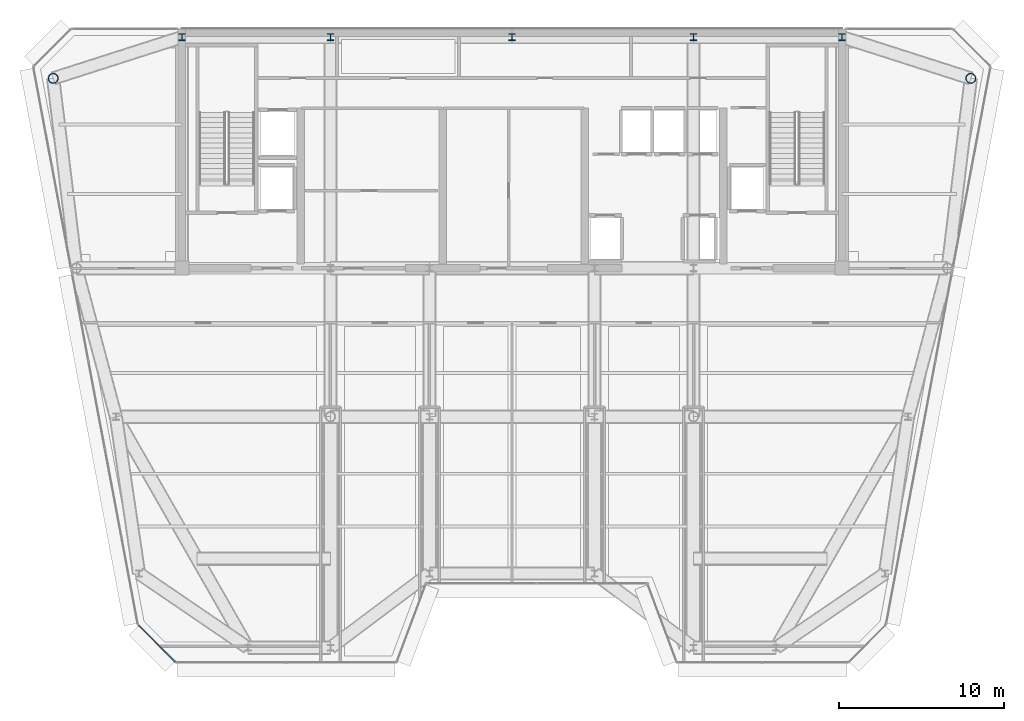
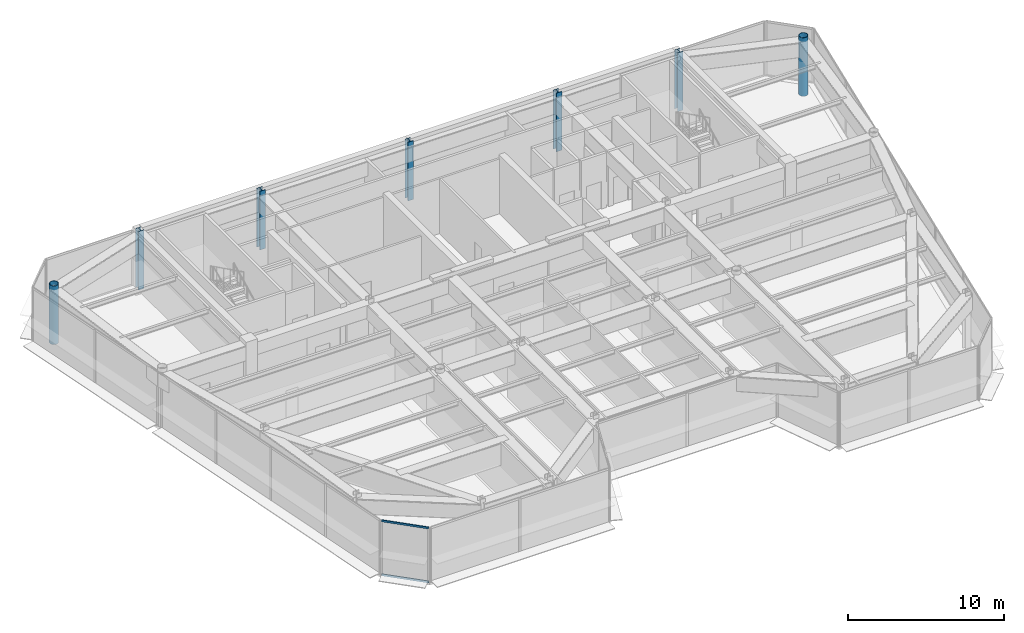
# One storey, part 2 of 20: 7 columns, 2 members, 1 element without a shape of its own.
"""IFC4 building model written with IfcOpenShell, lengths in metres."""

import ifcopenshell
import ifcopenshell.guid

model = None  # the IFC model being written
_history = None  # IfcOwnerHistory: only IFC2X3 demands one
_inside = {}  # id of a spatial element -> (the spatial element, [elements in it])
_under = {}  # id of a project, library or spatial element -> (it, [spatial elements below it])
_declared = {}  # id of a project -> (the project, [libraries it declares])
_typed = {}  # id of a type object -> (the type object, [elements of that type])
_made_of = {}  # id of a material, layer set ... -> (it, [elements and type objects made of it])


def new_model(schema):
    """Start an empty IFC model of exactly this schema.

    Asked for "IFC4X3", IfcOpenShell would pick the latest addendum, in which some entities
    have other attributes; the version numbers below select the first issue.
    IFC2X3 requires an IfcOwnerHistory on every rooted entity: one is made here for all.
    """
    global model, _history
    if schema == "IFC4X3":
        model = ifcopenshell.file(schema_version=(4, 3, 0, 0))
    else:
        model = ifcopenshell.file(schema=schema)
    _inside.clear()
    _under.clear()
    _declared.clear()
    _typed.clear()
    _made_of.clear()
    _history = None
    if model.schema == "IFC2X3":
        org = make("IfcOrganization", Name="unknown")
        user = make(
            "IfcPersonAndOrganization",
            ThePerson=make("IfcPerson", FamilyName="unknown"),
            TheOrganization=org,
        )
        app = make(
            "IfcApplication",
            ApplicationDeveloper=org,
            Version="unknown",
            ApplicationFullName="unknown",
            ApplicationIdentifier="unknown",
        )
        _history = make(
            "IfcOwnerHistory",
            OwningUser=user,
            OwningApplication=app,
            ChangeAction="ADDED",
            CreationDate=0,
        )
    return model


def make(cls, **values):
    """One entity of the class cls with the attributes given. An attribute that is None is left unset."""
    return model.create_entity(
        cls, **{name: value for name, value in values.items() if value is not None}
    )


def rooted(cls, **values):
    """An entity with a GlobalId (a new one), such as an element, a storey or a relation."""
    return make(cls, GlobalId=ifcopenshell.guid.new(), OwnerHistory=_history, **values)


def si_unit(unit_type, name, prefix=None):
    """IfcSIUnit, for example si_unit("LENGTHUNIT", "METRE", prefix="MILLI")."""
    return make("IfcSIUnit", UnitType=unit_type, Prefix=prefix, Name=name)


def assignment(units):
    """IfcUnitAssignment: the units of a project."""
    return None if units is None else make("IfcUnitAssignment", Units=units)


def point(xyz):
    """IfcCartesianPoint."""
    return None if xyz is None else make("IfcCartesianPoint", Coordinates=xyz)


def direction(xyz):
    """IfcDirection."""
    return None if xyz is None else make("IfcDirection", DirectionRatios=xyz)


def frame(location, z_axis=None, x_axis=None):
    """IfcAxis2Placement3D, a coordinate frame: its origin and axes. An axis left out is left unset."""
    return make(
        "IfcAxis2Placement3D",
        Location=point(location),
        Axis=direction(z_axis),
        RefDirection=direction(x_axis),
    )


def frame_2d(location, x_axis=None):
    """IfcAxis2Placement2D, a coordinate frame in the plane: its origin and x axis."""
    return make(
        "IfcAxis2Placement2D", Location=point(location), RefDirection=direction(x_axis)
    )


def origin():
    """The frame at (0, 0, 0) with its axes left unset."""
    return frame((0.0, 0.0, 0.0))


def origin_2d():
    """The frame at (0, 0) in the plane with its x axis left unset."""
    return frame_2d((0.0, 0.0))


def place(relative_to, where):
    """IfcLocalPlacement: puts the frame where relative to a parent placement (None: the world)."""
    return make(
        "IfcLocalPlacement", PlacementRelTo=relative_to, RelativePlacement=where
    )


def context(
    kind, dimensions, precision=None, world=None, true_north=None, identifier=None
):
    """IfcGeometricRepresentationContext, for example the 3D "Model" context."""
    return make(
        "IfcGeometricRepresentationContext",
        ContextIdentifier=identifier,
        ContextType=kind,
        CoordinateSpaceDimension=dimensions,
        Precision=precision,
        WorldCoordinateSystem=world,
        TrueNorth=true_north,
    )


def subcontext(parent, identifier, kind, view, scale=None):
    """IfcGeometricRepresentationSubContext, for example "Body" below "Model"."""
    return make(
        "IfcGeometricRepresentationSubContext",
        ContextIdentifier=identifier,
        ContextType=kind,
        ParentContext=parent,
        TargetScale=scale,
        TargetView=view,
    )


def project(units=None, contexts=None):
    """IfcProject with its units and contexts."""
    return rooted(
        "IfcProject",
        Name="project",
        RepresentationContexts=contexts,
        UnitsInContext=assignment(units),
    )


def spatial(cls, under=None, at=None, **own):
    """A site, building, storey or space (cls), placed at a placement, below another one or the project."""
    s = rooted(cls, ObjectPlacement=at, **own)
    if under is not None:
        _under.setdefault(under.id(), (under, []))[1].append(s)
    return s


def profile(cls, at=None, kind="AREA", **sizes):
    """A parametric profile (cls). Its sizes go by their IFC names, for example OverallWidth=200.0."""
    return make(cls, ProfileType=kind, Position=at, **sizes)


def rectangle(**sizes):
    """IfcRectangleProfileDef."""
    return profile("IfcRectangleProfileDef", **sizes)


def hollow_circle(**sizes):
    """IfcCircleHollowProfileDef."""
    return profile("IfcCircleHollowProfileDef", **sizes)


def i_section(**sizes):
    """IfcIShapeProfileDef."""
    return profile("IfcIShapeProfileDef", **sizes)


def extrude(swept, where, along, depth):
    """IfcExtrudedAreaSolid: the profile swept, set in the frame where, extruded along a direction by depth."""
    return make(
        "IfcExtrudedAreaSolid",
        SweptArea=swept,
        Position=where,
        ExtrudedDirection=direction(along),
        Depth=depth,
    )


def shape(context_of_items, identifier, shape_type, items):
    """IfcShapeRepresentation: the items that make up one representation, for example the "Body"."""
    return make(
        "IfcShapeRepresentation",
        ContextOfItems=context_of_items,
        RepresentationIdentifier=identifier,
        RepresentationType=shape_type,
        Items=items,
    )


def source(mapping_origin, context_of_items, identifier, shape_type, items):
    """IfcRepresentationMap: a shape defined once, which mapped items show again and again."""
    return make(
        "IfcRepresentationMap",
        MappingOrigin=mapping_origin,
        MappedRepresentation=shape(context_of_items, identifier, shape_type, items),
    )


def transform(
    local_origin,
    x_axis=None,
    y_axis=None,
    z_axis=None,
    scale=None,
    scale2=None,
    scale3=None,
    uniform=True,
):
    """IfcCartesianTransformationOperator3D, or its non-uniform kind. x_axis, y_axis, z_axis: its Axis1, 2, 3."""
    if uniform:
        return make(
            "IfcCartesianTransformationOperator3D",
            Axis1=direction(x_axis),
            Axis2=direction(y_axis),
            LocalOrigin=point(local_origin),
            Scale=scale,
            Axis3=direction(z_axis),
        )
    return make(
        "IfcCartesianTransformationOperator3DnonUniform",
        Axis1=direction(x_axis),
        Axis2=direction(y_axis),
        LocalOrigin=point(local_origin),
        Scale=scale,
        Axis3=direction(z_axis),
        Scale2=scale2,
        Scale3=scale3,
    )


def mapped(mapping_source, mapping_target):
    """IfcMappedItem: shows the shape of a source again, moved by a transform."""
    return make(
        "IfcMappedItem", MappingSource=mapping_source, MappingTarget=mapping_target
    )


def material(Name=None, Category=None):
    """IfcMaterial."""
    return make("IfcMaterial", Name=Name, Category=Category)


def layer(
    of_material, thickness, ventilated=None, Name=None, Category=None, Priority=None
):
    """IfcMaterialLayer: one layer of a wall or slab, of a material (None: an air gap)."""
    return make(
        "IfcMaterialLayer",
        Material=of_material,
        LayerThickness=thickness,
        IsVentilated=ventilated,
        Name=Name,
        Category=Category,
        Priority=Priority,
    )


def layer_set(layers, Name=None):
    """IfcMaterialLayerSet."""
    return make("IfcMaterialLayerSet", MaterialLayers=layers, LayerSetName=Name)


def material_profile(
    of_material, cross_section, Name=None, Category=None, Priority=None
):
    """IfcMaterialProfile: a cross section and its material."""
    return make(
        "IfcMaterialProfile",
        Name=Name,
        Material=of_material,
        Profile=cross_section,
        Priority=Priority,
        Category=Category,
    )


def profile_set(profiles, Name=None, composite=None):
    """IfcMaterialProfileSet."""
    return make(
        "IfcMaterialProfileSet",
        Name=Name,
        MaterialProfiles=profiles,
        CompositeProfile=composite,
    )


def made_of(thing, what):
    """Note that an element or type object is made of a material, layer set ...; save() writes the relation."""
    if what is not None:
        _made_of.setdefault(what.id(), (what, []))[1].append(thing)
    return thing


def type_object(cls, material=None, **own):
    """A type object (cls), such as IfcWallType, which elements share."""
    return made_of(rooted(cls, **own), material)


def element(
    cls,
    number,
    at=None,
    inside=None,
    cuts=None,
    type_object=None,
    material=None,
    context=None,
    identifier="Body",
    shape_type=None,
    held_by="IfcProductDefinitionShape",
    body=None,
    shapes=None,
    **own,
):
    """One element of the class cls, such as IfcWall. Its Tag is "e" and its number.

    at: its placement. inside: the storey or other place that contains it. cuts: it is an
    opening in that element (IfcRelVoidsElement). A single representation is given by context,
    identifier, shape_type and body (its items); several are given by shapes. held_by: the class
    of the entity that holds the representations. save() writes the other relations.
    """
    e = rooted(cls, Tag="e%d" % number, ObjectPlacement=at, **own)
    if body is not None:
        shapes = [shape(context, identifier, shape_type, body)]
    if shapes is not None:
        e.Representation = make(held_by, Representations=shapes)
    if inside is not None:
        _inside.setdefault(inside.id(), (inside, []))[1].append(e)
    if cuts is not None:
        rooted(
            "IfcRelVoidsElement", RelatingBuildingElement=cuts, RelatedOpeningElement=e
        )
    if type_object is not None:
        _typed.setdefault(type_object.id(), (type_object, []))[1].append(e)
    return made_of(e, material)


def aggregate(whole, parts):
    """IfcRelAggregates: a whole, such as a stair, and the parts it consists of."""
    return rooted("IfcRelAggregates", RelatingObject=whole, RelatedObjects=parts)


def save(model, path):
    """Write the relations noted so far, then the file.

    IfcRelAggregates (storeys below a building ...), IfcRelContainedInSpatialStructure (elements
    in a storey), IfcRelDefinesByType, IfcRelAssociatesMaterial and IfcRelDeclares: one each for
    every whole, place, type object, material and project.
    """
    for whole, parts in _under.values():
        aggregate(whole, parts)
    for where, things in _inside.values():
        rooted(
            "IfcRelContainedInSpatialStructure",
            RelatedElements=things,
            RelatingStructure=where,
        )
    for kind, things in _typed.values():
        rooted("IfcRelDefinesByType", RelatedObjects=things, RelatingType=kind)
    for what, things in _made_of.values():
        rooted("IfcRelAssociatesMaterial", RelatedObjects=things, RelatingMaterial=what)
    for by, libraries in _declared.values():
        rooted("IfcRelDeclares", RelatingContext=by, RelatedDefinitions=libraries)
    model.write(path)


model = new_model("IFC4")

# Units and contexts
model_context = context("Model", 3, precision=1e-05, world=origin(), true_north=direction((0.0, 1.0)))
body_context = subcontext(model_context, "Body", "Model", "MODEL_VIEW")
ifc_project = project(units=[si_unit("LENGTHUNIT", "METRE"), si_unit("AREAUNIT", "SQUARE_METRE"), si_unit("VOLUMEUNIT", "CUBIC_METRE"), si_unit("PLANEANGLEUNIT", "RADIAN"), si_unit("MASSUNIT", "GRAM", prefix="KILO")], contexts=[model_context])

# Site, building, storey
site_placement = place(None, origin())
site = spatial("IfcSite", under=ifc_project, at=site_placement, CompositionType="ELEMENT")
building_placement = place(site_placement, origin())
building = spatial("IfcBuilding", under=site, at=building_placement, Name="Vaeldorn Concourse Tower", CompositionType="ELEMENT")
storey_placement = place(building_placement, frame((0.0, 0.0, 299.199951171875)))
storey = spatial("IfcBuildingStorey", under=building, at=storey_placement, Name="L77", CompositionType="ELEMENT", Elevation=299.199951171875)

# Columns
ifc_material_1 = material(Name="Steel S355", Category="steel")
ifc_material_profile_1 = material_profile(ifc_material_1, i_section(OverallWidth=0.406005859375, OverallDepth=0.416015625, WebThickness=0.02978515625, FlangeThickness=0.0419921875, FilletRadius=0.014892578125, at=origin_2d()), Name="HD 400x382")
ifc_profile_set_1 = profile_set([ifc_material_profile_1], Name="Steel S355")
column_type_1 = type_object("IfcColumnType", Name="COL-HD382", PredefinedType="COLUMN", material=ifc_profile_set_1)
shared_shape_1 = source(origin(), body_context, "Body", "SweptSolid", [
    extrude(i_section(OverallWidth=0.406005859375, OverallDepth=0.416015625, WebThickness=0.02978515625, FlangeThickness=0.0419921875, FilletRadius=0.014892578125, at=origin_2d()), origin(), (0.0, 0.0, 1.0), 4.60009765625),
])
for number, where, z_axis, x_axis, name in (
    (1, (14.0, 50.5, 0.0), (0.0, 0.0, 1.0), (1.0, 0.0, 0.0), "Column C-HC1 L77"),
    (2, (23.0, 50.5, 0.0), (0.0, 0.0, 1.0), (1.0, 0.0, 0.0), "Column C-HC2 L77"),
    (3, (34.0, 50.5, 0.0), (0.0, 0.0, 1.0), (1.0, 0.0, 0.0), "Column C-HC3 L77"),
    (4, (45.0, 50.5, 0.0), (0.0, 0.0, 1.0), (1.0, 0.0, 0.0), "Column C-HC4 L77"),
    (5, (54.0, 50.5, 0.0), (0.0, 0.0, 1.0), (1.0, 0.0, 0.0), "Column C-HC5 L77"),
):
    element("IfcColumn", number, at=place(storey_placement, frame(where, z_axis=z_axis, x_axis=x_axis)), inside=storey, type_object=column_type_1, Name=name, PredefinedType="COLUMN", context=body_context, shape_type="MappedRepresentation", body=[
        mapped(shared_shape_1, transform((0.0, 0.0, 0.0), scale=1.0)),
    ])
ifc_material_profile_2 = material_profile(ifc_material_1, hollow_circle(Radius=0.304931640625, WallThickness=0.030029296875, at=origin_2d()), Name="CHS 610x30")
ifc_profile_set_2 = profile_set([ifc_material_profile_2], Name="Steel S355")
column_type_2 = type_object("IfcColumnType", Name="COL-CHS610", PredefinedType="COLUMN", material=ifc_profile_set_2)
shared_shape_2 = source(origin(), body_context, "Body", "SweptSolid", [
    extrude(hollow_circle(Radius=0.304931640625, WallThickness=0.030029296875, at=origin_2d()), origin(), (0.0, 0.0, 1.0), 4.60009765625),
])
for number, where, z_axis, x_axis, name in (
    (6, (6.199951171875, 48.0, 0.0), (0.0, 0.0, 1.0), (1.0, 0.0, 0.0), "Column C-NW1 L77"),
    (7, (61.800048828125, 48.0, 0.0), (0.0, 0.0, 1.0), (1.0, 0.0, 0.0), "Column C-NE1 L77"),
):
    element("IfcColumn", number, at=place(storey_placement, frame(where, z_axis=z_axis, x_axis=x_axis)), inside=storey, type_object=column_type_2, Name=name, PredefinedType="COLUMN", context=body_context, shape_type="MappedRepresentation", body=[
        mapped(shared_shape_2, transform((0.0, 0.0, 0.0), scale=1.0)),
    ])

# Curtain wall, members
ifc_material_2 = material(Name="Anodised Bronze Aluminium", Category="aluminium")
ifc_layer = layer(ifc_material_2, 0.179931640625)
ifc_layer_set = layer_set([ifc_layer], Name="Anodised Bronze Aluminium")
curtain_wall_type = type_object("IfcCurtainWallType", Name="CW-SYS-05", PredefinedType="NOTDEFINED", material=ifc_layer_set)
curtain_wall_placement = place(storey_placement, origin())
curtain_wall = element("IfcCurtainWall", 8, at=curtain_wall_placement, inside=storey, type_object=curtain_wall_type, Name="Unitised Curtain Wall CW-L77-E12-1", PredefinedType="NOTDEFINED")
ifc_material_profile_3 = material_profile(ifc_material_2, rectangle(XDim=0.06494140625, YDim=0.14990234375, at=origin_2d()), Name="CWT 65x150")
ifc_profile_set_3 = profile_set([ifc_material_profile_3], Name="Anodised Bronze Aluminium")
member_type = type_object("IfcMemberType", Name="CWT-BRONZE-150", PredefinedType="USERDEFINED", material=ifc_profile_set_3)
shared_shape_3 = source(origin(), body_context, "Body", "SweptSolid", [
    extrude(rectangle(XDim=0.06494140625, YDim=0.14990234375, at=origin_2d()), origin(), (0.0, 0.0, 1.0), 3.12255859375),
])
member_1_placement = place(storey_placement, frame((11.382080078125, 14.85400390625, 0.032470703125), z_axis=(0.707106781187, -0.707106781187, 0.0), x_axis=(0.707106781187, 0.707106781187, 0.0)))
member_1 = element("IfcMember", 9, at=member_1_placement, type_object=member_type, Name="CW-05 transom 1.1", ObjectType="TRANSOM", PredefinedType="USERDEFINED", context=body_context, shape_type="MappedRepresentation", body=[
    mapped(shared_shape_3, transform((0.0, 0.0, 0.0), scale=1.0)),
])
member_2_placement = place(storey_placement, frame((11.382080078125, 14.85400390625, 4.267578125), z_axis=(0.707106781187, -0.707106781187, 0.0), x_axis=(0.707106781187, 0.707106781187, 0.0)))
member_2 = element("IfcMember", 10, at=member_2_placement, type_object=member_type, Name="CW-05 transom 1.2", ObjectType="TRANSOM", PredefinedType="USERDEFINED", context=body_context, shape_type="MappedRepresentation", body=[
    mapped(shared_shape_3, transform((0.0, 0.0, 0.0), scale=1.0)),
])
aggregate(curtain_wall, [member_1, member_2])

save(model, "model.ifc")
